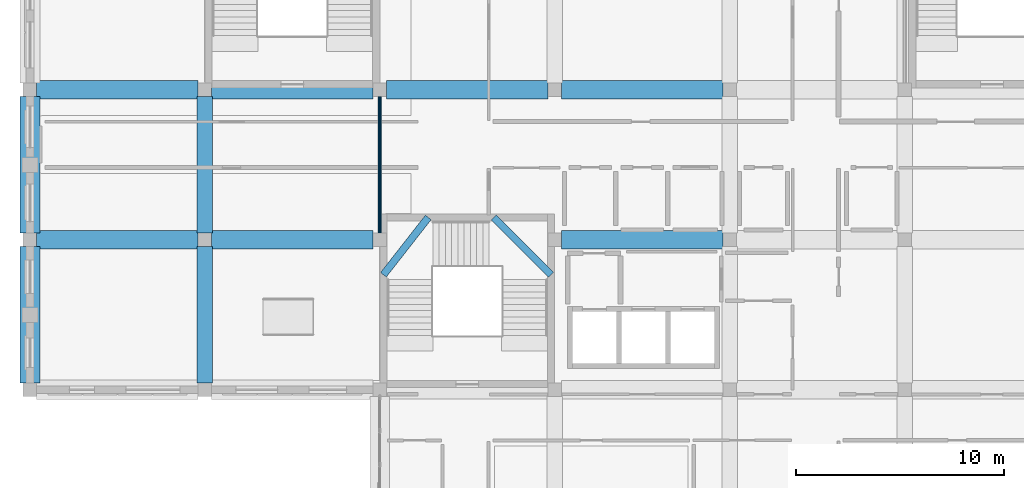
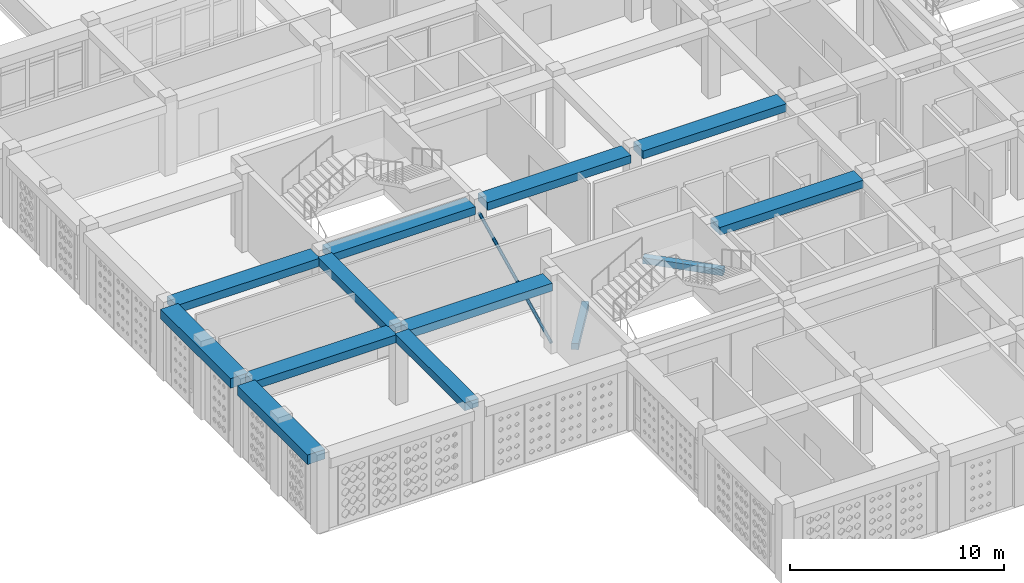
# One storey, part 4 of 79: 13 beams, 1 member.
"""IFC4 building model written with IfcOpenShell, lengths in metres."""

from ifc_helpers import new_model, si_unit, derived_unit, direction, frame, origin, origin_2d, place, context, subcontext, project, spatial, rectangle, hollow_circle, extrude, material, material_profile, profile_set, type_object, element, save


model = new_model("IFC4")

# Units and contexts
model_context = context("Model", 3, precision=1e-05, world=origin(), true_north=direction((0.0, 1.0)))
body_context = subcontext(model_context, "Body", "Model", "MODEL_VIEW")
ifc_project = project(units=[si_unit("LENGTHUNIT", "METRE"), si_unit("AREAUNIT", "SQUARE_METRE"), si_unit("VOLUMEUNIT", "CUBIC_METRE"), si_unit("PLANEANGLEUNIT", "RADIAN"), si_unit("MASSUNIT", "GRAM", prefix="KILO"), derived_unit("THERMALTRANSMITTANCEUNIT", [(si_unit("POWERUNIT", "WATT"), 1), (si_unit("LENGTHUNIT", "METRE"), -2), (si_unit("THERMODYNAMICTEMPERATUREUNIT", "KELVIN"), -1)])], contexts=[model_context])

# Site, building, storey
site_placement = place(None, origin())
site = spatial("IfcSite", under=ifc_project, at=site_placement, CompositionType="ELEMENT")
building_placement = place(site_placement, origin())
building = spatial("IfcBuilding", under=site, at=building_placement, Name="Veybourne Emporium", CompositionType="ELEMENT")
storey_placement = place(building_placement, frame((0.0, 0.0, 18.89990234375)))
storey = spatial("IfcBuildingStorey", under=building, at=storey_placement, Name="L04", CompositionType="ELEMENT", Elevation=18.89990234375)

# Beams
ifc_material_1 = material(Name="Concrete C32/40", Category="concrete")
ifc_material_profile_1 = material_profile(ifc_material_1, rectangle(XDim=0.35009765625, YDim=0.35009765625, at=origin_2d()), Name="RC 350x350")
ifc_profile_set_1 = profile_set([ifc_material_profile_1], Name="Concrete C32/40")
beam_type_1 = type_object("IfcBeamType", Name="LandingBeam_LB-01", PredefinedType="BEAM", material=ifc_profile_set_1)
beam_1_placement = place(storey_placement, frame((16.97509765625, 19.919921875, 1.125), z_axis=(0.616059796619, 0.78769938872, 0.0), x_axis=(-0.78769938872, 0.616059796619, 0.0)))
element("IfcBeam", 1, at=beam_1_placement, inside=storey, type_object=beam_type_1, Name="L04 ST-01 landing 1 support beam", PredefinedType="BEAM", context=body_context, shape_type="SweptSolid", body=[
    extrude(rectangle(XDim=0.35009765625, YDim=0.35009765625, at=origin_2d()), origin(), (0.0, 0.0, 1.0), 3.497802734375),
])
beam_2_placement = place(storey_placement, frame((22.27001953125, 22.675048828125, 2.625), z_axis=(0.707075449606, -0.707138111379, 0.0), x_axis=(0.707138111379, 0.707075449606, 0.0)))
element("IfcBeam", 2, at=beam_2_placement, inside=storey, type_object=beam_type_1, Name="L04 ST-01 landing 2 support beam", PredefinedType="BEAM", context=body_context, shape_type="SweptSolid", body=[
    extrude(rectangle(XDim=0.35009765625, YDim=0.35009765625, at=origin_2d()), origin(), (0.0, 0.0, 1.0), 3.896240234375),
])
ifc_material_profile_2 = material_profile(ifc_material_1, rectangle(XDim=0.89990234375, YDim=0.449951171875, at=origin_2d()), Name="RC 900x450")
ifc_profile_set_2 = profile_set([ifc_material_profile_2], Name="Concrete C32/40")
beam_type_2 = type_object("IfcBeamType", Name="RCBeam_BB-03", PredefinedType="BEAM", material=ifc_profile_set_2)
for number, where, z_axis, x_axis, name in (
    (3, (0.324951171875, 21.60009765625, 3.955078125), (1.0, 0.0, 0.0), (0.0, 1.0, 0.0), "L04 X-grid beam BB-03 (0,3)"),
    (4, (0.324951171875, 28.800048828125, 3.955078125), (1.0, 0.0, 0.0), (0.0, 1.0, 0.0), "L04 X-grid beam BB-03 (0,4)"),
    (5, (8.72509765625, 21.60009765625, 3.955078125), (1.0, 0.0, 0.0), (0.0, 1.0, 0.0), "L04 X-grid beam BB-03 (1,3)"),
    (6, (8.72509765625, 28.800048828125, 3.955078125), (1.0, 0.0, 0.0), (0.0, 1.0, 0.0), "L04 X-grid beam BB-03 (1,4)"),
    (7, (17.125, 28.800048828125, 3.955078125), (1.0, 0.0, 0.0), (0.0, 1.0, 0.0), "L04 X-grid beam BB-03 (2,4)"),
    (8, (25.52490234375, 21.60009765625, 3.955078125), (1.0, 0.0, 0.0), (0.0, 1.0, 0.0), "L04 X-grid beam BB-03 (3,3)"),
    (9, (25.52490234375, 28.800048828125, 3.955078125), (1.0, 0.0, 0.0), (0.0, 1.0, 0.0), "L04 X-grid beam BB-03 (3,4)"),
):
    element("IfcBeam", number, at=place(storey_placement, frame(where, z_axis=z_axis, x_axis=x_axis)), inside=storey, type_object=beam_type_2, Name=name, PredefinedType="BEAM", context=body_context, shape_type="SweptSolid", body=[
        extrude(rectangle(XDim=0.89990234375, YDim=0.449951171875, at=origin_2d()), origin(), (0.0, 0.0, 1.0), 7.75),
    ])
ifc_material_profile_3 = material_profile(ifc_material_1, rectangle(XDim=0.75, YDim=0.449951171875, at=origin_2d()), Name="RC 750x450")
ifc_profile_set_3 = profile_set([ifc_material_profile_3], Name="Concrete C32/40")
beam_type_3 = type_object("IfcBeamType", Name="RCBeam_BB-04", PredefinedType="BEAM", material=ifc_profile_set_3)
beam_3_placement = place(storey_placement, frame((8.39990234375, 14.72509765625, 3.955078125), z_axis=(0.0, 1.0, 0.0), x_axis=(-1.0, 0.0, 0.0)))
element("IfcBeam", 10, at=beam_3_placement, inside=storey, type_object=beam_type_3, Name="L04 Y-grid beam BB-04 (1,2)", PredefinedType="BEAM", context=body_context, shape_type="SweptSolid", body=[
    extrude(rectangle(XDim=0.75, YDim=0.449951171875, at=origin_2d()), origin(), (0.0, 0.0, 1.0), 6.5498046875),
])
beam_4_placement = place(storey_placement, frame((8.39990234375, 21.925048828125, 3.955078125), z_axis=(0.0, 1.0, 0.0), x_axis=(-1.0, 0.0, 0.0)))
element("IfcBeam", 11, at=beam_4_placement, inside=storey, type_object=beam_type_3, Name="L04 Y-grid beam BB-04 (1,3)", PredefinedType="BEAM", context=body_context, shape_type="SweptSolid", body=[
    extrude(rectangle(XDim=0.75, YDim=0.449951171875, at=origin_2d()), origin(), (0.0, 0.0, 1.0), 6.550048828125),
])
ifc_material_profile_4 = material_profile(ifc_material_1, rectangle(XDim=0.949951171875, YDim=0.550048828125, at=origin_2d()), Name="RC 950x550")
ifc_profile_set_4 = profile_set([ifc_material_profile_4], Name="Concrete C32/40")
beam_type_4 = type_object("IfcBeamType", Name="RCBeam_EB-01", PredefinedType="SPANDREL", material=ifc_profile_set_4)
beam_5_placement = place(storey_placement, frame((0.0, 14.72509765625, 3.905029296875), z_axis=(0.0, 1.0, 0.0), x_axis=(-1.0, 0.0, 0.0)))
element("IfcBeam", 12, at=beam_5_placement, inside=storey, type_object=beam_type_4, Name="L04 Y-grid beam EB-01 (0,2)", PredefinedType="SPANDREL", context=body_context, shape_type="SweptSolid", body=[
    extrude(rectangle(XDim=0.949951171875, YDim=0.550048828125, at=origin_2d()), origin(), (0.0, 0.0, 1.0), 6.5498046875),
])
beam_6_placement = place(storey_placement, frame((0.0, 21.925048828125, 3.905029296875), z_axis=(0.0, 1.0, 0.0), x_axis=(-1.0, 0.0, 0.0)))
element("IfcBeam", 13, at=beam_6_placement, inside=storey, type_object=beam_type_4, Name="L04 Y-grid beam EB-01 (0,3)", PredefinedType="SPANDREL", context=body_context, shape_type="SweptSolid", body=[
    extrude(rectangle(XDim=0.949951171875, YDim=0.550048828125, at=origin_2d()), origin(), (0.0, 0.0, 1.0), 6.550048828125),
])

# Member
ifc_material_2 = material(Name="Steel S355", Category="steel")
ifc_material_profile_5 = material_profile(ifc_material_2, hollow_circle(Radius=0.084228515625, WallThickness=0.008056640625, at=origin_2d()), Name="CHS 168.3x8.0")
ifc_profile_set_5 = profile_set([ifc_material_profile_5], Name="Steel S355")
member_type = type_object("IfcMemberType", Name="SteelMem_DB-01", PredefinedType="BRACE", material=ifc_profile_set_5)
member_placement = place(storey_placement, frame((16.800048828125, 21.820068359375, 0.25), z_axis=(0.0, 0.897061623358, 0.441905469414), x_axis=(-1.0, 0.0, 0.0)))
element("IfcMember", 14, at=member_placement, inside=storey, type_object=member_type, Name="Internal lateral frame brace DB-01.11 (L04)", PredefinedType="BRACE", context=body_context, shape_type="SweptSolid", body=[
    extrude(hollow_circle(Radius=0.084228515625, WallThickness=0.008056640625, at=origin_2d()), origin(), (0.0, 0.0, 1.0), 7.53564453125),
])

save(model, "model.ifc")
